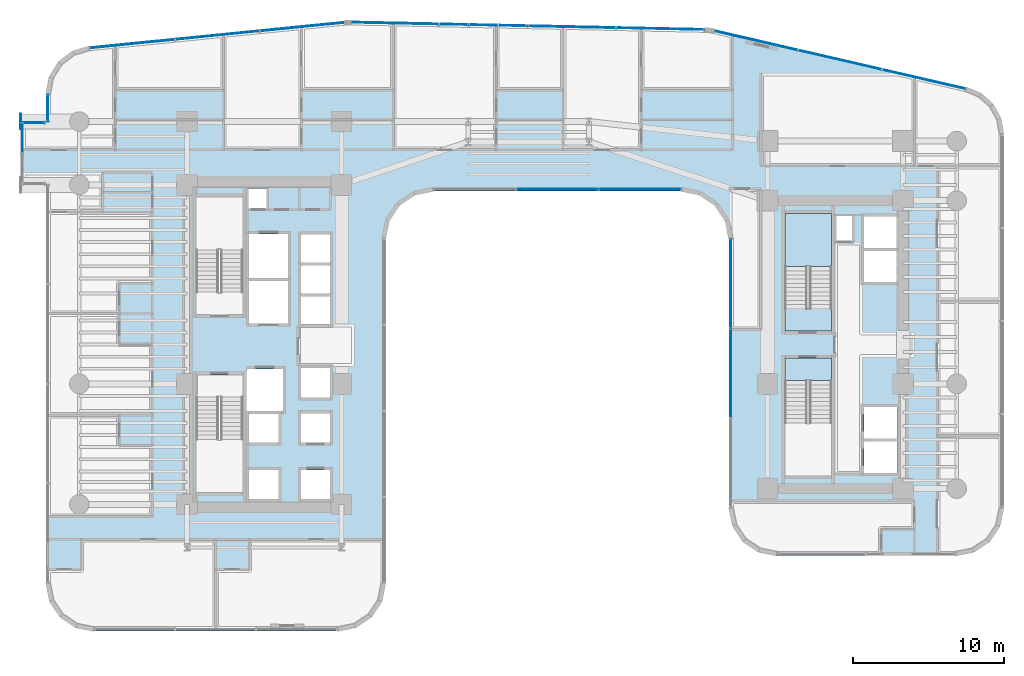
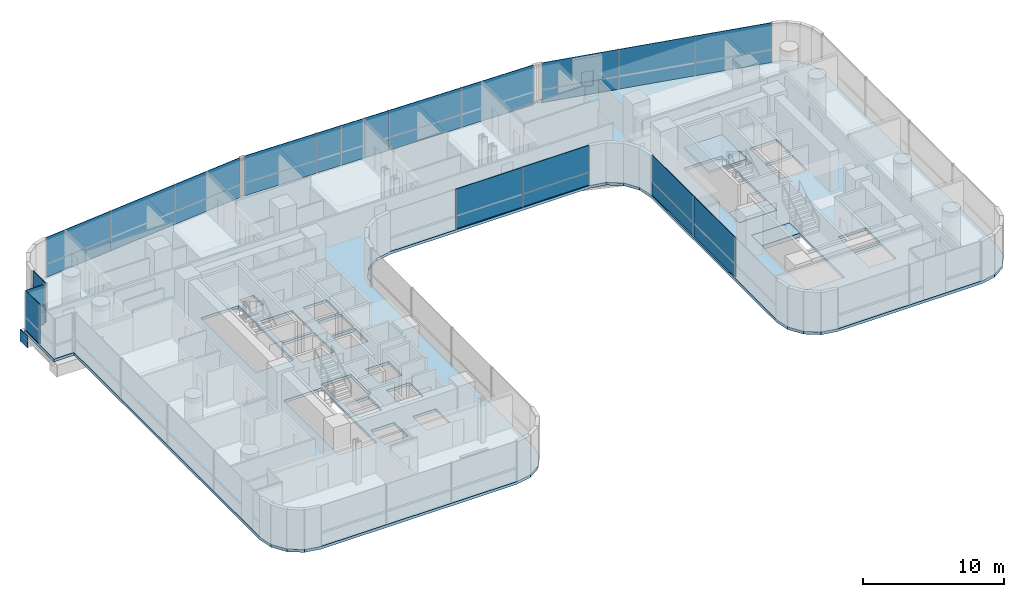
# One storey, part 30 of 42: 30 plates, 4 slabs, 9 elements without a shape of their own.
"""IFC4 building model written with IfcOpenShell, lengths in metres."""

from ifc_helpers import new_model, si_unit, direction, frame, origin, origin_2d, place, context, subcontext, project, spatial, polyline, rectangle, outline, extrude, source, transform, mapped, material, layer, layer_set, type_object, element, aggregate, save


model = new_model("IFC4")

# Units and contexts
model_context = context("Model", 3, precision=1e-05, world=origin(), true_north=direction((0.0, 1.0)))
body_context = subcontext(model_context, "Body", "Model", "MODEL_VIEW")
ifc_project = project(units=[si_unit("LENGTHUNIT", "METRE"), si_unit("AREAUNIT", "SQUARE_METRE"), si_unit("VOLUMEUNIT", "CUBIC_METRE"), si_unit("PLANEANGLEUNIT", "RADIAN"), si_unit("MASSUNIT", "GRAM", prefix="KILO")], contexts=[model_context])

# Site, building, storey
site_placement = place(None, origin())
site = spatial("IfcSite", under=ifc_project, at=site_placement, CompositionType="ELEMENT")
building_placement = place(site_placement, origin())
building = spatial("IfcBuilding", under=site, at=building_placement, Name="Valdorenza Pilgrim Sanctuary Tower", CompositionType="ELEMENT")
storey_placement = place(building_placement, frame((0.0, 0.0, 55.60009765625)))
storey = spatial("IfcBuildingStorey", under=building, at=storey_placement, Name="L13", CompositionType="ELEMENT", Elevation=55.60009765625)

# Slab
ifc_material_1 = material(Name="Concrete C40/50", Category="concrete")
ifc_layer_1 = layer(ifc_material_1, 0.239990234375, Name="Concrete C40/50")
ifc_layer_set_1 = layer_set([ifc_layer_1], Name="Concrete C40/50")
slab_type_1 = type_object("IfcSlabType", Name="SLAB-FLR-220", PredefinedType="FLOOR", material=ifc_layer_set_1)
slab_1_placement = place(storey_placement, frame((0.0, 0.0, -0.239990234375)))
element("IfcSlab", 1, at=slab_1_placement, inside=storey, type_object=slab_type_1, Name="L13 Structural Floor Slab 1", PredefinedType="FLOOR", context=body_context, shape_type="SweptSolid", body=[
    extrude(outline(polyline([(-31.785888671875, 17.754638671875), (-31.172607421875, 18.751220703125), (-30.241943359375, 19.460693359375), (-29.118408203125, 19.7880859375), (-12.192138671875, 21.480712890625), (-11.999755859375, 21.494140625), (-11.9033203125, 21.49658203125), (11.66943359375, 21.0068359375), (11.833984375, 20.999267578125), (11.997802734375, 20.983154296875), (12.160888671875, 20.95849609375), (12.322265625, 20.925537109375), (29.01953125, 17.072509765625), (30.00732421875, 16.660888671875), (30.80419921875, 15.946533203125), (31.321044921875, 15.009521484375), (31.5, 13.954345703125), (31.5, -10.800048828125), (31.25634765625, -12.024658203125), (30.562744140625, -13.062744140625), (29.524658203125, -13.75634765625), (28.300048828125, -14.0), (16.5, -14.0), (15.275390625, -13.75634765625), (14.2373046875, -13.062744140625), (13.543701171875, -12.024658203125), (13.300048828125, -10.800048828125), (13.300048828125, 7.0), (13.056396484375, 8.224609375), (12.36279296875, 9.2626953125), (11.32470703125, 9.956298828125), (10.10009765625, 10.199951171875), (-6.300048828125, 10.199951171875), (-7.524658203125, 9.956298828125), (-8.562744140625, 9.2626953125), (-9.25634765625, 8.224609375), (-9.5, 7.0), (-9.5, -15.800048828125), (-9.74365234375, -17.024658203125), (-10.437255859375, -18.062744140625), (-11.475341796875, -18.75634765625), (-12.699951171875, -19.0), (-28.800048828125, -19.0), (-30.024658203125, -18.75634765625), (-31.062744140625, -18.062744140625), (-31.75634765625, -17.024658203125), (-32.0, -15.800048828125), (-32.0, 10.60009765625), (-33.64990234375, 10.60009765625), (-33.64990234375, 14.800048828125), (-32.0, 14.800048828125), (-32.0, 16.60400390625), (-31.785888671875, 17.754638671875)]), holes=[polyline([(-16.60009765625, -10.25), (-16.60009765625, -8.300048828125), (-18.550048828125, -8.300048828125), (-18.550048828125, -10.25), (-16.60009765625, -10.25)]), polyline([(-22.050048828125, -9.800048828125), (-18.93994140625, -9.800048828125), (-18.93994140625, -3.485107421875), (-18.93994140625, -2.0), (-22.050048828125, -2.0), (-22.050048828125, -3.485107421875), (-22.050048828125, -9.800048828125)]), polyline([(-18.550048828125, -6.5), (-16.60009765625, -6.5), (-16.60009765625, -4.60009765625), (-18.550048828125, -4.60009765625), (-18.550048828125, -6.5)]), polyline([(-13.179931640625, -6.5), (-13.179931640625, -4.550048828125), (-15.10009765625, -4.550048828125), (-15.10009765625, -6.5), (-13.179931640625, -6.5)]), polyline([(-18.719970703125, -4.39990234375), (-16.300048828125, -4.39990234375), (-16.300048828125, -1.60009765625), (-18.719970703125, -1.60009765625), (-18.719970703125, -4.39990234375)]), polyline([(-13.179931640625, -3.5), (-13.179931640625, -1.550048828125), (-15.10009765625, -1.550048828125), (-15.10009765625, -3.5), (-13.179931640625, -3.5)]), polyline([(-22.050048828125, 2.0), (-18.93994140625, 2.0), (-18.93994140625, 3.485107421875), (-18.93994140625, 9.800048828125), (-22.050048828125, 9.800048828125), (-22.050048828125, 3.485107421875), (-22.050048828125, 2.0)]), polyline([(-18.550048828125, 1.39990234375), (-15.949951171875, 1.39990234375), (-15.949951171875, 4.22509765625), (-18.550048828125, 4.22509765625), (-18.550048828125, 1.39990234375)]), polyline([(-15.949951171875, 4.425048828125), (-15.949951171875, 7.35009765625), (-18.550048828125, 7.35009765625), (-18.550048828125, 4.425048828125), (-15.949951171875, 4.425048828125)]), polyline([(-15.10009765625, 5.449951171875), (-13.179931640625, 5.449951171875), (-13.179931640625, 7.300048828125), (-15.10009765625, 7.300048828125), (-15.10009765625, 5.449951171875)]), polyline([(-17.360107421875, 9.030029296875), (-17.360107421875, 10.35009765625), (-18.570068359375, 10.35009765625), (-18.570068359375, 9.030029296875), (-17.360107421875, 9.030029296875)]), polyline([(-15.10009765625, -10.25), (-13.179931640625, -10.25), (-13.179931640625, -8.300048828125), (-15.10009765625, -8.300048828125), (-15.10009765625, -10.25)]), polyline([(22.25, -8.5), (24.47998046875, -8.5), (24.47998046875, -6.425048828125), (22.25, -6.425048828125), (22.25, -8.5)]), polyline([(17.0, -2.385009765625), (17.0, -8.699951171875), (20.110107421875, -8.699951171875), (20.110107421875, -2.385009765625), (20.110107421875, -0.89990234375), (17.0, -0.89990234375), (17.0, -2.385009765625)]), polyline([(22.25, -6.22509765625), (24.47998046875, -6.22509765625), (24.47998046875, -4.14990234375), (22.25, -4.14990234375), (22.25, -6.22509765625)]), polyline([(17.0, 0.89990234375), (20.110107421875, 0.89990234375), (20.110107421875, 2.385009765625), (20.110107421875, 8.699951171875), (17.0, 8.699951171875), (17.0, 2.385009765625), (17.0, 0.89990234375)]), polyline([(-15.10009765625, 1.35009765625), (-13.179931640625, 1.35009765625), (-13.179931640625, 3.199951171875), (-15.10009765625, 3.199951171875), (-15.10009765625, 1.35009765625)]), polyline([(-15.10009765625, 3.39990234375), (-13.179931640625, 3.39990234375), (-13.179931640625, 5.25), (-15.10009765625, 5.25), (-15.10009765625, 3.39990234375)]), polyline([(22.25, 4.14990234375), (24.47998046875, 4.14990234375), (24.47998046875, 6.22509765625), (22.25, 6.22509765625), (22.25, 4.14990234375)]), polyline([(22.25, 6.425048828125), (24.47998046875, 6.425048828125), (24.47998046875, 8.5), (22.25, 8.5), (22.25, 6.425048828125)]), polyline([(20.409912109375, 6.860107421875), (21.489990234375, 6.860107421875), (21.489990234375, 8.52001953125), (20.409912109375, 8.52001953125), (20.409912109375, 6.860107421875)])]), origin(), (0.0, 0.0, 1.0), 0.239990234375),
])

# Stair, slab
stair_type = type_object("IfcStairType", Name="STR-DOG-CORE", PredefinedType="HALF_TURN_STAIR", material=ifc_material_1)
stair_placement = place(storey_placement, origin())
stair = element("IfcStair", 2, at=stair_placement, inside=storey, type_object=stair_type, Name="L13 ST-B1", PredefinedType="HALF_TURN_STAIR")
ifc_layer_2 = layer(ifc_material_1, 0.199951171875, Name="Concrete C40/50")
ifc_layer_set_2 = layer_set([ifc_layer_2], Name="Concrete C40/50")
slab_type_2 = type_object("IfcSlabType", Name="SLAB-STL-200", PredefinedType="LANDING", material=ifc_layer_set_2)
slab_2_placement = place(storey_placement, frame((0.0, 0.0, 1.64990234375)))
slab_2 = element("IfcSlab", 3, at=slab_2_placement, type_object=slab_type_2, Name="ST-B1 landing 1", PredefinedType="LANDING", context=body_context, shape_type="SweptSolid", body=[
    extrude(outline(polyline([(20.110107421875, 5.179931640625), (20.110107421875, 8.699951171875), (17.0, 8.699951171875), (17.0, 5.179931640625), (20.110107421875, 5.179931640625)])), origin(), (0.0, 0.0, 1.0), 0.199951171875),
])
aggregate(stair, [slab_2])

# Slabs
ifc_material_2 = material(Name="Concrete C50/60", Category="concrete")
ifc_layer_3 = layer(ifc_material_2, 0.39990234375, Name="Concrete C50/60")
ifc_layer_set_3 = layer_set([ifc_layer_3], Name="Concrete C50/60")
slab_type_3 = type_object("IfcSlabType", Name="SLAB-TRF-400", PredefinedType="FLOOR", material=ifc_layer_set_3)
slab_3_placement = place(storey_placement, frame((0.0, 0.0, -0.360107421875)))
element("IfcSlab", 4, at=slab_3_placement, inside=storey, type_object=slab_type_3, Name="L13 ST-B1 Structural Stair Landing Bearing Slab", PredefinedType="FLOOR", context=body_context, shape_type="SweptSolid", body=[
    extrude(outline(polyline([(17.0, 0.89990234375), (20.110107421875, 0.89990234375), (20.110107421875, 2.385009765625), (17.0, 2.385009765625), (17.0, 0.89990234375)])), origin(), (0.0, 0.0, 1.0), 0.360107421875),
])
slab_4_placement = place(storey_placement, frame((0.0, 0.0, -0.360107421875)))
element("IfcSlab", 5, at=slab_4_placement, inside=storey, type_object=slab_type_3, Name="L13 ST-B2 Structural Stair Landing Bearing Slab", PredefinedType="FLOOR", context=body_context, shape_type="SweptSolid", body=[
    extrude(outline(polyline([(17.0, -2.385009765625), (20.110107421875, -2.385009765625), (20.110107421875, -0.89990234375), (17.0, -0.89990234375), (17.0, -2.385009765625)])), origin(), (0.0, 0.0, 1.0), 0.360107421875),
])

# Plate
ifc_material_3 = material(Name="Steel ASTM A572 Grade 42", Category="steel")
ifc_layer_4 = layer(ifc_material_3, 0.06005859375, Name="Steel ASTM A572 Grade 42")
ifc_layer_set_4 = layer_set([ifc_layer_4], Name="Steel ASTM A572 Grade 42")
plate_type_1 = type_object("IfcPlateType", Name="PLT-CAP-60", PredefinedType="SHEET", material=ifc_layer_set_4)
shared_shape_1 = source(origin(), body_context, "Body", "SweptSolid", [
    extrude(rectangle(XDim=0.06005859375, YDim=1.0400390625, at=origin_2d()), origin(), (0.0, 0.0, 1.0), 1.0400390625),
])
plate_1_placement = place(storey_placement, frame((-33.679931640625, 14.800048828125, -1.260009765625), z_axis=(0.0, 0.0, 1.0), x_axis=(1.0, 0.0, 0.0)))
element("IfcPlate", 6, at=plate_1_placement, inside=storey, type_object=plate_type_1, Name="L13 BOX-WA-L13 Cantilever Tip End Cap N", PredefinedType="SHEET", context=body_context, shape_type="MappedRepresentation", body=[
    mapped(shared_shape_1, transform((0.0, 0.0, 0.0), x_axis=(1.0, 0.0, 0.0), y_axis=(0.0, 1.0, 0.0), z_axis=(0.0, 0.0, 1.0), scale=1.0)),
])

# Curtain wall, plates
ifc_material_4 = material(Name="Curtain-wall IGU glazing", Category="glass")
curtain_wall_type_1 = type_object("IfcCurtainWallType", Name="CW-SYS-02", PredefinedType="NOTDEFINED", material=ifc_material_4)
curtain_wall_1_placement = place(storey_placement, origin())
curtain_wall_1 = element("IfcCurtainWall", 7, at=curtain_wall_1_placement, inside=storey, type_object=curtain_wall_type_1, Name="L13 Curtain Wall CW-L13-1-6", PredefinedType="NOTDEFINED")
ifc_material_5 = material(Name="Honed travertine limestone", Category="masonry")
ifc_layer_5 = layer(ifc_material_5, 0.050048828125, Name="Honed travertine limestone")
ifc_layer_set_5 = layer_set([ifc_layer_5], Name="Honed travertine limestone")
plate_type_2 = type_object("IfcPlateType", Name="CW-SPN-TRV", PredefinedType="USERDEFINED", material=ifc_layer_set_5)
shared_shape_2 = source(origin(), body_context, "Body", "SweptSolid", [
    extrude(rectangle(XDim=5.646484375, YDim=0.06005859375, at=origin_2d()), origin(), (0.0, 0.0, 1.0), 1.10009765625),
])
plate_2_placement = place(storey_placement, frame((-26.2783203125, 19.961669921875, 0.009765625), z_axis=(0.0, 0.0, 1.0), x_axis=(0.995038220239, 0.099493418189, 0.0)))
plate_2 = element("IfcPlate", 8, at=plate_2_placement, type_object=plate_type_2, Name="CW-L13-1-6 Travertine Spandrel 1", ObjectType="SPANDREL", PredefinedType="USERDEFINED", context=body_context, shape_type="MappedRepresentation", body=[
    mapped(shared_shape_2, transform((0.0, 0.0, 0.0), x_axis=(1.0, 0.0, 0.0), y_axis=(0.0, 1.0, 0.0), z_axis=(0.0, 0.0, 1.0), scale=1.0)),
])
plate_3_placement = place(storey_placement, frame((-15.001220703125, 21.08935546875, 0.009765625), z_axis=(0.0, 0.0, 1.0), x_axis=(0.995038220239, 0.099493418189, 0.0)))
plate_3 = element("IfcPlate", 9, at=plate_3_placement, type_object=plate_type_2, Name="CW-L13-1-6 Travertine Spandrel 3", ObjectType="SPANDREL", PredefinedType="USERDEFINED", context=body_context, shape_type="MappedRepresentation", body=[
    mapped(shared_shape_2, transform((0.0, 0.0, 0.0), x_axis=(1.0, 0.0, 0.0), y_axis=(0.0, 1.0, 0.0), z_axis=(0.0, 0.0, 1.0), scale=1.0)),
])
ifc_material_6 = material(Name="Ceramic-fritted low-E IGU glazing", Category="glass")
ifc_layer_6 = layer(ifc_material_6, 0.035888671875, Name="Ceramic-fritted low-E IGU glazing")
ifc_layer_set_6 = layer_set([ifc_layer_6], Name="Ceramic-fritted low-E IGU glazing")
plate_type_3 = type_object("IfcPlateType", Name="CW-GLZ-IGU", PredefinedType="USERDEFINED", material=ifc_layer_set_6)
shared_shape_3 = source(origin(), body_context, "Body", "SweptSolid", [
    extrude(rectangle(XDim=5.646484375, YDim=0.050048828125, at=origin_2d()), origin(), (0.0, 0.0, 1.0), 2.320068359375),
])
plate_4_placement = place(storey_placement, frame((-26.2783203125, 19.961669921875, 1.1298828125), z_axis=(0.0, 0.0, 1.0), x_axis=(0.995038220239, 0.099493418189, 0.0)))
plate_4 = element("IfcPlate", 10, at=plate_4_placement, type_object=plate_type_3, Name="CW-L13-1-6 Facade Panel 1", ObjectType="GLAZING", PredefinedType="USERDEFINED", context=body_context, shape_type="MappedRepresentation", body=[
    mapped(shared_shape_3, transform((0.0, 0.0, 0.0), x_axis=(1.0, 0.0, 0.0), y_axis=(0.0, 1.0, 0.0), z_axis=(0.0, 0.0, 1.0), scale=1.0)),
])
plate_5_placement = place(storey_placement, frame((-15.001220703125, 21.08935546875, 1.1298828125), z_axis=(0.0, 0.0, 1.0), x_axis=(0.995038220239, 0.099493418189, 0.0)))
plate_5 = element("IfcPlate", 11, at=plate_5_placement, type_object=plate_type_3, Name="CW-L13-1-6 Facade Panel 3", ObjectType="GLAZING", PredefinedType="USERDEFINED", context=body_context, shape_type="MappedRepresentation", body=[
    mapped(shared_shape_3, transform((0.0, 0.0, 0.0), x_axis=(1.0, 0.0, 0.0), y_axis=(0.0, 1.0, 0.0), z_axis=(0.0, 0.0, 1.0), scale=1.0)),
])
shared_shape_4 = source(origin(), body_context, "Body", "SweptSolid", [
    extrude(rectangle(XDim=5.646484375, YDim=0.050048828125, at=origin_2d()), origin(), (0.0, 0.0, 1.0), 3.43994140625),
])
plate_6_placement = place(storey_placement, frame((-20.6396484375, 20.525634765625, 0.010009765625), z_axis=(0.0, 0.0, 1.0), x_axis=(0.995038220239, 0.099493418189, 0.0)))
plate_6 = element("IfcPlate", 12, at=plate_6_placement, type_object=plate_type_3, Name="CW-L13-1-6 Full-Height Facade Panel 2", ObjectType="GLAZING", PredefinedType="USERDEFINED", context=body_context, shape_type="MappedRepresentation", body=[
    mapped(shared_shape_4, transform((0.0, 0.0, 0.0), x_axis=(1.0, 0.0, 0.0), y_axis=(0.0, 1.0, 0.0), z_axis=(0.0, 0.0, 1.0), scale=1.0)),
])
aggregate(curtain_wall_1, [plate_2, plate_4, plate_6, plate_3, plate_5])

curtain_wall_2_placement = place(storey_placement, origin())
curtain_wall_2 = element("IfcCurtainWall", 13, at=curtain_wall_2_placement, inside=storey, type_object=curtain_wall_type_1, Name="L13 Curtain Wall CW-L13-1-11", PredefinedType="NOTDEFINED")
shared_shape_5 = source(origin(), body_context, "Body", "SweptSolid", [
    extrude(rectangle(XDim=5.849853515625, YDim=0.06005859375, at=origin_2d()), origin(), (0.0, 0.0, 1.0), 1.10009765625),
])
plate_7_placement = place(storey_placement, frame((-8.8740234375, 21.324951171875, 0.009765625), z_axis=(0.0, 0.0, 1.0), x_axis=(0.999783234613, -0.020820273474, 0.0)))
plate_7 = element("IfcPlate", 14, at=plate_7_placement, type_object=plate_type_2, Name="CW-L13-1-11 Travertine Spandrel 1", ObjectType="SPANDREL", PredefinedType="USERDEFINED", context=body_context, shape_type="MappedRepresentation", body=[
    mapped(shared_shape_5, transform((0.0, 0.0, 0.0), x_axis=(1.0, 0.0, 0.0), y_axis=(0.0, 1.0, 0.0), z_axis=(0.0, 0.0, 1.0), scale=1.0)),
])
plate_8_placement = place(storey_placement, frame((2.86279296875, 21.080322265625, 0.009765625), z_axis=(0.0, 0.0, 1.0), x_axis=(0.999783234613, -0.020820273474, 0.0)))
plate_8 = element("IfcPlate", 15, at=plate_8_placement, type_object=plate_type_2, Name="CW-L13-1-11 Travertine Spandrel 3", ObjectType="SPANDREL", PredefinedType="USERDEFINED", context=body_context, shape_type="MappedRepresentation", body=[
    mapped(shared_shape_5, transform((0.0, 0.0, 0.0), x_axis=(1.0, 0.0, 0.0), y_axis=(0.0, 1.0, 0.0), z_axis=(0.0, 0.0, 1.0), scale=1.0)),
])
shared_shape_6 = source(origin(), body_context, "Body", "SweptSolid", [
    extrude(rectangle(XDim=5.849853515625, YDim=0.050048828125, at=origin_2d()), origin(), (0.0, 0.0, 1.0), 2.320068359375),
])
plate_9_placement = place(storey_placement, frame((-8.8740234375, 21.324951171875, 1.1298828125), z_axis=(0.0, 0.0, 1.0), x_axis=(0.999783234613, -0.020820273474, 0.0)))
plate_9 = element("IfcPlate", 16, at=plate_9_placement, type_object=plate_type_3, Name="CW-L13-1-11 Facade Panel 1", ObjectType="GLAZING", PredefinedType="USERDEFINED", context=body_context, shape_type="MappedRepresentation", body=[
    mapped(shared_shape_6, transform((0.0, 0.0, 0.0), x_axis=(1.0, 0.0, 0.0), y_axis=(0.0, 1.0, 0.0), z_axis=(0.0, 0.0, 1.0), scale=1.0)),
])
plate_10_placement = place(storey_placement, frame((2.86279296875, 21.080322265625, 1.1298828125), z_axis=(0.0, 0.0, 1.0), x_axis=(0.999783234613, -0.020820273474, 0.0)))
plate_10 = element("IfcPlate", 17, at=plate_10_placement, type_object=plate_type_3, Name="CW-L13-1-11 Facade Panel 3", ObjectType="GLAZING", PredefinedType="USERDEFINED", context=body_context, shape_type="MappedRepresentation", body=[
    mapped(shared_shape_6, transform((0.0, 0.0, 0.0), x_axis=(1.0, 0.0, 0.0), y_axis=(0.0, 1.0, 0.0), z_axis=(0.0, 0.0, 1.0), scale=1.0)),
])
shared_shape_7 = source(origin(), body_context, "Body", "SweptSolid", [
    extrude(rectangle(XDim=5.849853515625, YDim=0.050048828125, at=origin_2d()), origin(), (0.0, 0.0, 1.0), 3.43994140625),
])
plate_11_placement = place(storey_placement, frame((8.7314453125, 20.9580078125, 0.010009765625), z_axis=(0.0, 0.0, 1.0), x_axis=(0.999783234613, -0.020820273474, 0.0)))
plate_11 = element("IfcPlate", 18, at=plate_11_placement, type_object=plate_type_3, Name="CW-L13-1-11 Full-Height Facade Panel 4", ObjectType="GLAZING", PredefinedType="USERDEFINED", context=body_context, shape_type="MappedRepresentation", body=[
    mapped(shared_shape_7, transform((0.0, 0.0, 0.0), x_axis=(1.0, 0.0, 0.0), y_axis=(0.0, 1.0, 0.0), z_axis=(0.0, 0.0, 1.0), scale=1.0)),
])

curtain_wall_type_2 = type_object("IfcCurtainWallType", Name="CW-SYS-03", PredefinedType="NOTDEFINED", material=ifc_material_4)
curtain_wall_3_placement = place(storey_placement, origin())
curtain_wall_3 = element("IfcCurtainWall", 19, at=curtain_wall_3_placement, inside=storey, type_object=curtain_wall_type_2, Name="L13 Curtain Wall CW-L13-1-16", PredefinedType="NOTDEFINED")
shared_shape_8 = source(origin(), body_context, "Body", "SweptSolid", [
    extrude(rectangle(XDim=5.6884765625, YDim=0.06005859375, at=origin_2d()), origin(), (0.0, 0.0, 1.0), 1.10009765625),
])
plate_12_placement = place(storey_placement, frame((15.080078125, 20.17626953125, 0.009765625), z_axis=(0.0, 0.0, 1.0), x_axis=(0.974389691758, -0.224866023659, 0.0)))
plate_12 = element("IfcPlate", 20, at=plate_12_placement, type_object=plate_type_2, Name="CW-L13-1-16 Travertine Spandrel 1", ObjectType="SPANDREL", PredefinedType="USERDEFINED", context=body_context, shape_type="MappedRepresentation", body=[
    mapped(shared_shape_8, transform((0.0, 0.0, 0.0), x_axis=(1.0, 0.0, 0.0), y_axis=(0.0, 1.0, 0.0), z_axis=(0.0, 0.0, 1.0), scale=1.0)),
])
plate_13_placement = place(storey_placement, frame((26.20458984375, 17.609130859375, 0.009765625), z_axis=(0.0, 0.0, 1.0), x_axis=(0.974389691758, -0.224866023659, 0.0)))
plate_13 = element("IfcPlate", 21, at=plate_13_placement, type_object=plate_type_2, Name="CW-L13-1-16 Travertine Spandrel 3", ObjectType="SPANDREL", PredefinedType="USERDEFINED", context=body_context, shape_type="MappedRepresentation", body=[
    mapped(shared_shape_8, transform((0.0, 0.0, 0.0), x_axis=(1.0, 0.0, 0.0), y_axis=(0.0, 1.0, 0.0), z_axis=(0.0, 0.0, 1.0), scale=1.0)),
])
shared_shape_9 = source(origin(), body_context, "Body", "SweptSolid", [
    extrude(rectangle(XDim=5.6884765625, YDim=0.050048828125, at=origin_2d()), origin(), (0.0, 0.0, 1.0), 2.320068359375),
])
plate_14_placement = place(storey_placement, frame((15.080078125, 20.17626953125, 1.1298828125), z_axis=(0.0, 0.0, 1.0), x_axis=(0.974389691758, -0.224866023659, 0.0)))
plate_14 = element("IfcPlate", 22, at=plate_14_placement, type_object=plate_type_3, Name="CW-L13-1-16 Facade Panel 1", ObjectType="GLAZING", PredefinedType="USERDEFINED", context=body_context, shape_type="MappedRepresentation", body=[
    mapped(shared_shape_9, transform((0.0, 0.0, 0.0), x_axis=(1.0, 0.0, 0.0), y_axis=(0.0, 1.0, 0.0), z_axis=(0.0, 0.0, 1.0), scale=1.0)),
])
plate_15_placement = place(storey_placement, frame((26.20458984375, 17.609130859375, 1.1298828125), z_axis=(0.0, 0.0, 1.0), x_axis=(0.974389691758, -0.224866023659, 0.0)))
plate_15 = element("IfcPlate", 23, at=plate_15_placement, type_object=plate_type_3, Name="CW-L13-1-16 Facade Panel 3", ObjectType="GLAZING", PredefinedType="USERDEFINED", context=body_context, shape_type="MappedRepresentation", body=[
    mapped(shared_shape_9, transform((0.0, 0.0, 0.0), x_axis=(1.0, 0.0, 0.0), y_axis=(0.0, 1.0, 0.0), z_axis=(0.0, 0.0, 1.0), scale=1.0)),
])
shared_shape_10 = source(origin(), body_context, "Body", "SweptSolid", [
    extrude(rectangle(XDim=5.6884765625, YDim=0.050048828125, at=origin_2d()), origin(), (0.0, 0.0, 1.0), 3.43994140625),
])
plate_16_placement = place(storey_placement, frame((20.642333984375, 18.892578125, 0.010009765625), z_axis=(0.0, 0.0, 1.0), x_axis=(0.974389691758, -0.224866023659, 0.0)))
plate_16 = element("IfcPlate", 24, at=plate_16_placement, type_object=plate_type_3, Name="CW-L13-1-16 Full-Height Facade Panel 2", ObjectType="GLAZING", PredefinedType="USERDEFINED", context=body_context, shape_type="MappedRepresentation", body=[
    mapped(shared_shape_10, transform((0.0, 0.0, 0.0), x_axis=(1.0, 0.0, 0.0), y_axis=(0.0, 1.0, 0.0), z_axis=(0.0, 0.0, 1.0), scale=1.0)),
])
aggregate(curtain_wall_3, [plate_12, plate_14, plate_16, plate_13, plate_15])

curtain_wall_4_placement = place(storey_placement, origin())
curtain_wall_4 = element("IfcCurtainWall", 25, at=curtain_wall_4_placement, inside=storey, type_object=curtain_wall_type_2, Name="L13 Curtain Wall CW-L13-1-31", PredefinedType="NOTDEFINED")
shared_shape_11 = source(origin(), body_context, "Body", "SweptSolid", [
    extrude(rectangle(XDim=5.913330078125, YDim=0.06005859375, at=origin_2d()), origin(), (0.0, 0.0, 1.0), 1.10009765625),
])
plate_17_placement = place(storey_placement, frame((13.409912109375, 4.044189453125, 0.009765625), z_axis=(0.0, 0.0, 1.0), x_axis=(0.0, 1.0, 0.0)))
plate_17 = element("IfcPlate", 26, at=plate_17_placement, type_object=plate_type_2, Name="CW-L13-1-31 Travertine Spandrel 3", ObjectType="SPANDREL", PredefinedType="USERDEFINED", context=body_context, shape_type="MappedRepresentation", body=[
    mapped(shared_shape_11, transform((0.0, 0.0, 0.0), x_axis=(1.0, 0.0, 0.0), y_axis=(0.0, 1.0, 0.0), z_axis=(0.0, 0.0, 1.0), scale=1.0)),
])
shared_shape_12 = source(origin(), body_context, "Body", "SweptSolid", [
    extrude(rectangle(XDim=5.913330078125, YDim=0.050048828125, at=origin_2d()), origin(), (0.0, 0.0, 1.0), 2.320068359375),
])
plate_18_placement = place(storey_placement, frame((13.409912109375, 4.044189453125, 1.1298828125), z_axis=(0.0, 0.0, 1.0), x_axis=(0.0, 1.0, 0.0)))
plate_18 = element("IfcPlate", 27, at=plate_18_placement, type_object=plate_type_3, Name="CW-L13-1-31 Facade Panel 3", ObjectType="GLAZING", PredefinedType="USERDEFINED", context=body_context, shape_type="MappedRepresentation", body=[
    mapped(shared_shape_12, transform((0.0, 0.0, 0.0), x_axis=(1.0, 0.0, 0.0), y_axis=(0.0, 1.0, 0.0), z_axis=(0.0, 0.0, 1.0), scale=1.0)),
])
shared_shape_13 = source(origin(), body_context, "Body", "SweptSolid", [
    extrude(rectangle(XDim=5.913330078125, YDim=0.050048828125, at=origin_2d()), origin(), (0.0, 0.0, 1.0), 3.43994140625),
])
plate_19_placement = place(storey_placement, frame((13.409912109375, -1.88916015625, 0.010009765625), z_axis=(0.0, 0.0, 1.0), x_axis=(0.0, 1.0, 0.0)))
plate_19 = element("IfcPlate", 28, at=plate_19_placement, type_object=plate_type_3, Name="CW-L13-1-31 Full-Height Facade Panel 2", ObjectType="GLAZING", PredefinedType="USERDEFINED", context=body_context, shape_type="MappedRepresentation", body=[
    mapped(shared_shape_13, transform((0.0, 0.0, 0.0), x_axis=(1.0, 0.0, 0.0), y_axis=(0.0, 1.0, 0.0), z_axis=(0.0, 0.0, 1.0), scale=1.0)),
])
aggregate(curtain_wall_4, [plate_19, plate_17, plate_18])

curtain_wall_5_placement = place(storey_placement, origin())
curtain_wall_5 = element("IfcCurtainWall", 29, at=curtain_wall_5_placement, inside=storey, type_object=curtain_wall_type_1, Name="L13 Curtain Wall CW-L13-1-36", PredefinedType="NOTDEFINED")
shared_shape_14 = source(origin(), body_context, "Body", "SweptSolid", [
    extrude(rectangle(XDim=5.453857421875, YDim=0.06005859375, at=origin_2d()), origin(), (0.0, 0.0, 1.0), 1.10009765625),
])
plate_20_placement = place(storey_placement, frame((7.373779296875, 10.31005859375, 0.009765625), z_axis=(0.0, 0.0, 1.0), x_axis=(-1.0, 0.0, 0.0)))
plate_20 = element("IfcPlate", 30, at=plate_20_placement, type_object=plate_type_2, Name="CW-L13-1-36 Travertine Spandrel 1", ObjectType="SPANDREL", PredefinedType="USERDEFINED", context=body_context, shape_type="MappedRepresentation", body=[
    mapped(shared_shape_14, transform((0.0, 0.0, 0.0), x_axis=(1.0, 0.0, 0.0), y_axis=(0.0, 1.0, 0.0), z_axis=(0.0, 0.0, 1.0), scale=1.0)),
])
shared_shape_15 = source(origin(), body_context, "Body", "SweptSolid", [
    extrude(rectangle(XDim=5.453857421875, YDim=0.050048828125, at=origin_2d()), origin(), (0.0, 0.0, 1.0), 2.320068359375),
])
plate_21_placement = place(storey_placement, frame((7.373779296875, 10.31005859375, 1.1298828125), z_axis=(0.0, 0.0, 1.0), x_axis=(-1.0, 0.0, 0.0)))
plate_21 = element("IfcPlate", 31, at=plate_21_placement, type_object=plate_type_3, Name="CW-L13-1-36 Facade Panel 1", ObjectType="GLAZING", PredefinedType="USERDEFINED", context=body_context, shape_type="MappedRepresentation", body=[
    mapped(shared_shape_15, transform((0.0, 0.0, 0.0), x_axis=(1.0, 0.0, 0.0), y_axis=(0.0, 1.0, 0.0), z_axis=(0.0, 0.0, 1.0), scale=1.0)),
])
shared_shape_16 = source(origin(), body_context, "Body", "SweptSolid", [
    extrude(rectangle(XDim=5.453857421875, YDim=0.050048828125, at=origin_2d()), origin(), (0.0, 0.0, 1.0), 3.43994140625),
])
plate_22_placement = place(storey_placement, frame((1.89990234375, 10.31005859375, 0.010009765625), z_axis=(0.0, 0.0, 1.0), x_axis=(-1.0, 0.0, 0.0)))
plate_22 = element("IfcPlate", 32, at=plate_22_placement, type_object=plate_type_3, Name="CW-L13-1-36 Full-Height Facade Panel 2", ObjectType="GLAZING", PredefinedType="USERDEFINED", context=body_context, shape_type="MappedRepresentation", body=[
    mapped(shared_shape_16, transform((0.0, 0.0, 0.0), x_axis=(1.0, 0.0, 0.0), y_axis=(0.0, 1.0, 0.0), z_axis=(0.0, 0.0, 1.0), scale=1.0)),
])
aggregate(curtain_wall_5, [plate_20, plate_21, plate_22])

curtain_wall_6_placement = place(storey_placement, origin())
curtain_wall_6 = element("IfcCurtainWall", 33, at=curtain_wall_6_placement, inside=storey, type_object=curtain_wall_type_1, Name="L13 Curtain Wall CW-L13-BOX-WA-L13-N", PredefinedType="NOTDEFINED")
shared_shape_17 = source(origin(), body_context, "Body", "SweptSolid", [
    extrude(rectangle(XDim=1.43994140625, YDim=0.06005859375, at=origin_2d()), origin(), (0.0, 0.0, 1.0), 1.10009765625),
])
plate_23_placement = place(storey_placement, frame((-32.840087890625, 14.719970703125, 0.009765625), z_axis=(0.0, 0.0, 1.0), x_axis=(1.0, 0.0, 0.0)))
plate_23 = element("IfcPlate", 34, at=plate_23_placement, type_object=plate_type_2, Name="CW-L13-BOX-WA-L13-N Travertine Spandrel 1", ObjectType="SPANDREL", PredefinedType="USERDEFINED", context=body_context, shape_type="MappedRepresentation", body=[
    mapped(shared_shape_17, transform((0.0, 0.0, 0.0), x_axis=(1.0, 0.0, 0.0), y_axis=(0.0, 1.0, 0.0), z_axis=(0.0, 0.0, 1.0), scale=1.0)),
])
shared_shape_18 = source(origin(), body_context, "Body", "SweptSolid", [
    extrude(rectangle(XDim=1.43994140625, YDim=0.050048828125, at=origin_2d()), origin(), (0.0, 0.0, 1.0), 2.320068359375),
])
plate_24_placement = place(storey_placement, frame((-32.840087890625, 14.719970703125, 1.1298828125), z_axis=(0.0, 0.0, 1.0), x_axis=(1.0, 0.0, 0.0)))
plate_24 = element("IfcPlate", 35, at=plate_24_placement, type_object=plate_type_3, Name="CW-L13-BOX-WA-L13-N Facade Panel 1", ObjectType="GLAZING", PredefinedType="USERDEFINED", context=body_context, shape_type="MappedRepresentation", body=[
    mapped(shared_shape_18, transform((0.0, 0.0, 0.0), x_axis=(1.0, 0.0, 0.0), y_axis=(0.0, 1.0, 0.0), z_axis=(0.0, 0.0, 1.0), scale=1.0)),
])
aggregate(curtain_wall_6, [plate_23, plate_24])

curtain_wall_7_placement = place(storey_placement, origin())
curtain_wall_7 = element("IfcCurtainWall", 36, at=curtain_wall_7_placement, inside=storey, type_object=curtain_wall_type_1, Name="L13 Curtain Wall CW-L13-1-1S2", PredefinedType="NOTDEFINED")
shared_shape_19 = source(origin(), body_context, "Body", "SweptSolid", [
    extrude(rectangle(XDim=1.77392578125, YDim=0.06005859375, at=origin_2d()), origin(), (0.0, 0.0, 1.0), 1.10009765625),
])
plate_25_placement = place(storey_placement, frame((-31.889892578125, 15.697021484375, 0.009765625), z_axis=(0.0, 0.0, 1.0), x_axis=(0.0, 1.0, 0.0)))
plate_25 = element("IfcPlate", 37, at=plate_25_placement, type_object=plate_type_2, Name="CW-L13-1-1S2 Travertine Spandrel 1", ObjectType="SPANDREL", PredefinedType="USERDEFINED", context=body_context, shape_type="MappedRepresentation", body=[
    mapped(shared_shape_19, transform((0.0, 0.0, 0.0), x_axis=(1.0, 0.0, 0.0), y_axis=(0.0, 1.0, 0.0), z_axis=(0.0, 0.0, 1.0), scale=1.0)),
])
shared_shape_20 = source(origin(), body_context, "Body", "SweptSolid", [
    extrude(rectangle(XDim=1.77392578125, YDim=0.050048828125, at=origin_2d()), origin(), (0.0, 0.0, 1.0), 2.320068359375),
])
plate_26_placement = place(storey_placement, frame((-31.889892578125, 15.697021484375, 1.1298828125), z_axis=(0.0, 0.0, 1.0), x_axis=(0.0, 1.0, 0.0)))
plate_26 = element("IfcPlate", 38, at=plate_26_placement, type_object=plate_type_3, Name="CW-L13-1-1S2 Facade Panel 1", ObjectType="GLAZING", PredefinedType="USERDEFINED", context=body_context, shape_type="MappedRepresentation", body=[
    mapped(shared_shape_20, transform((0.0, 0.0, 0.0), x_axis=(1.0, 0.0, 0.0), y_axis=(0.0, 1.0, 0.0), z_axis=(0.0, 0.0, 1.0), scale=1.0)),
])
aggregate(curtain_wall_7, [plate_25, plate_26])

# Curtain wall, plate
curtain_wall_8_placement = place(storey_placement, origin())
curtain_wall_8 = element("IfcCurtainWall", 39, at=curtain_wall_8_placement, inside=storey, type_object=curtain_wall_type_1, Name="L13 Curtain Wall CW-L13-BOX-WA-L13-F", PredefinedType="NOTDEFINED")
shared_shape_21 = source(origin(), body_context, "Body", "SweptSolid", [
    extrude(rectangle(XDim=2.0, YDim=0.050048828125, at=origin_2d()), origin(), (0.0, 0.0, 1.0), 3.43994140625),
])
plate_27_placement = place(storey_placement, frame((-33.570068359375, 13.7099609375, 0.010009765625), z_axis=(0.0, 0.0, 1.0), x_axis=(0.0, 1.0, 0.0)))
plate_27 = element("IfcPlate", 40, at=plate_27_placement, type_object=plate_type_3, Name="CW-L13-BOX-WA-L13-F Full-Height Facade Panel 2", ObjectType="GLAZING", PredefinedType="USERDEFINED", context=body_context, shape_type="MappedRepresentation", body=[
    mapped(shared_shape_21, transform((0.0, 0.0, 0.0), x_axis=(1.0, 0.0, 0.0), y_axis=(0.0, 1.0, 0.0), z_axis=(0.0, 0.0, 1.0), scale=1.0)),
])
aggregate(curtain_wall_8, [plate_27])

# Plate
shared_shape_22 = source(origin(), body_context, "Body", "SweptSolid", [
    extrude(rectangle(XDim=1.929931640625, YDim=0.050048828125, at=origin_2d()), origin(), (0.0, 0.0, 1.0), 3.43994140625),
])
plate_28_placement = place(storey_placement, frame((-4.955078125, 21.2431640625, 0.010009765625), z_axis=(0.0, 0.0, 1.0), x_axis=(0.999783234613, -0.020820273474, 0.0)))
plate_28 = element("IfcPlate", 41, at=plate_28_placement, type_object=plate_type_3, Name="CW-L13-1-11 Full-Height Facade Panel 2 Sub 1", ObjectType="GLAZING", PredefinedType="USERDEFINED", context=body_context, shape_type="MappedRepresentation", body=[
    mapped(shared_shape_22, transform((0.0, 0.0, 0.0), x_axis=(1.0, 0.0, 0.0), y_axis=(0.0, 1.0, 0.0), z_axis=(0.0, 0.0, 1.0), scale=1.0)),
])

plate_29_placement = place(storey_placement, frame((-3.005615234375, 21.20263671875, 0.010009765625), z_axis=(0.0, 0.0, 1.0), x_axis=(0.999783234613, -0.020820273474, 0.0)))
plate_29 = element("IfcPlate", 42, at=plate_29_placement, type_object=plate_type_3, Name="CW-L13-1-11 Full-Height Facade Panel 2 Sub 2", ObjectType="GLAZING", PredefinedType="USERDEFINED", context=body_context, shape_type="MappedRepresentation", body=[
    mapped(shared_shape_22, transform((0.0, 0.0, 0.0), x_axis=(1.0, 0.0, 0.0), y_axis=(0.0, 1.0, 0.0), z_axis=(0.0, 0.0, 1.0), scale=1.0)),
])

plate_30_placement = place(storey_placement, frame((-1.05615234375, 21.162109375, 0.010009765625), z_axis=(0.0, 0.0, 1.0), x_axis=(0.999783234613, -0.020820273474, 0.0)))
plate_30 = element("IfcPlate", 43, at=plate_30_placement, type_object=plate_type_3, Name="CW-L13-1-11 Full-Height Facade Panel 2 Sub 3", ObjectType="GLAZING", PredefinedType="USERDEFINED", context=body_context, shape_type="MappedRepresentation", body=[
    mapped(shared_shape_22, transform((0.0, 0.0, 0.0), x_axis=(1.0, 0.0, 0.0), y_axis=(0.0, 1.0, 0.0), z_axis=(0.0, 0.0, 1.0), scale=1.0)),
])

aggregate(curtain_wall_2, [plate_7, plate_9, plate_8, plate_10, plate_11, plate_28, plate_29, plate_30])

save(model, "model.ifc")
